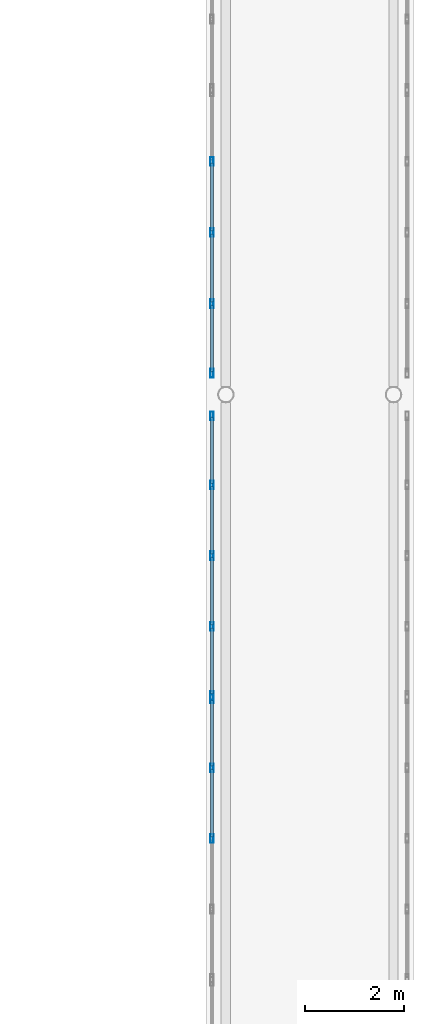
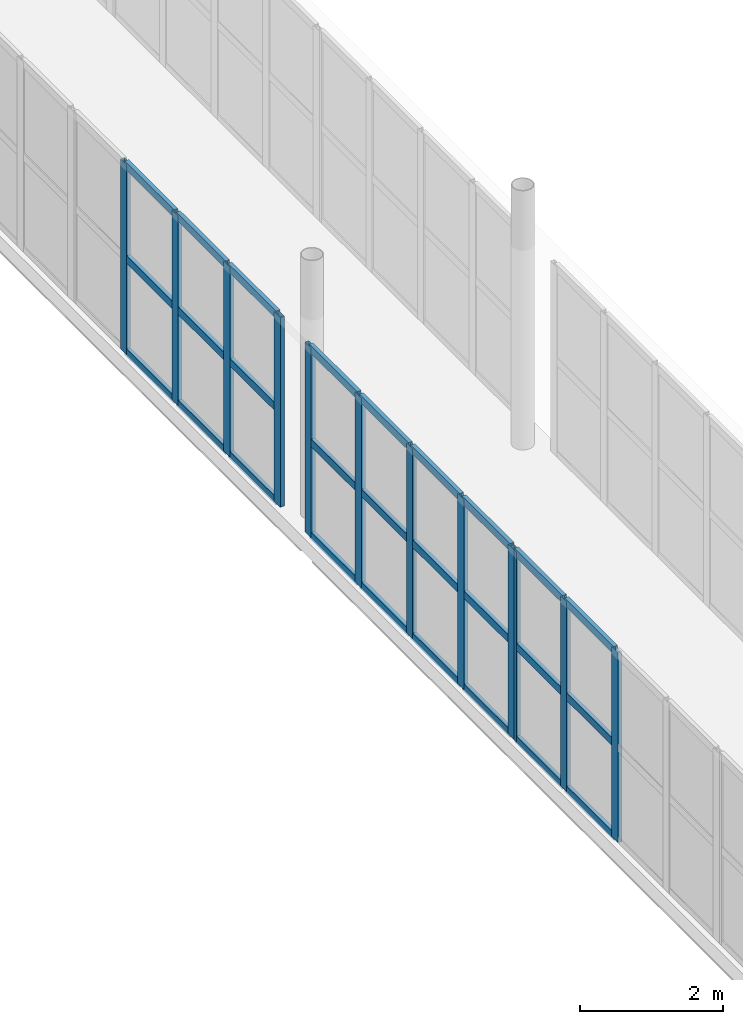
# One storey, part 37 of 142: 39 members, 3 elements without a shape of their own.
"""IFC4 building model written with IfcOpenShell, lengths in metres."""

from ifc_helpers import new_model, si_unit, direction, frame, origin, origin_2d, place, context, subcontext, project, spatial, hollow_rectangle, extrude, material, layer, layer_set, material_profile, profile_set, type_object, element, aggregate, save


model = new_model("IFC4")

# Units and contexts
model_context = context("Model", 3, precision=1e-05, world=origin(), true_north=direction((0.0, 1.0)))
body_context = subcontext(model_context, "Body", "Model", "MODEL_VIEW")
ifc_project = project(units=[si_unit("LENGTHUNIT", "METRE"), si_unit("AREAUNIT", "SQUARE_METRE"), si_unit("VOLUMEUNIT", "CUBIC_METRE"), si_unit("PLANEANGLEUNIT", "RADIAN"), si_unit("MASSUNIT", "GRAM", prefix="KILO")], contexts=[model_context])

# Site, building, storey
site_placement = place(None, origin())
site = spatial("IfcSite", under=ifc_project, at=site_placement, CompositionType="ELEMENT")
building_placement = place(site_placement, origin())
building = spatial("IfcBuilding", under=site, at=building_placement, Name="Valcora Specialist Clinic", CompositionType="ELEMENT")
storey_placement = place(building_placement, frame((0.0, 0.0, 5.10009765625)))
storey = spatial("IfcBuildingStorey", under=building, at=storey_placement, Name="L01", CompositionType="ELEMENT", Elevation=5.10009765625)

# Curtain wall, members
ifc_material = material(Name="Anodized Bronze Aluminium 6063-T6", Category="aluminium")
ifc_layer = layer(ifc_material, 0.175048828125)
ifc_layer_set = layer_set([ifc_layer], Name="Anodized Bronze Aluminium 6063-T6")
curtain_wall_type = type_object("IfcCurtainWallType", Name="TY-CW-BRG14", PredefinedType="NOTDEFINED", material=ifc_layer_set)
curtain_wall_1_placement = place(storey_placement, origin())
curtain_wall_1 = element("IfcCurtainWall", 1, at=curtain_wall_1_placement, inside=storey, type_object=curtain_wall_type, Name="Curtain wall CW-L01-235", PredefinedType="NOTDEFINED")
ifc_material_profile_1 = material_profile(ifc_material, hollow_rectangle(XDim=0.06494140625, YDim=0.175048828125, WallThickness=0.00390625, at=origin_2d()), Name="AL-MUL-65X175")
ifc_profile_set_1 = profile_set([ifc_material_profile_1], Name="Anodized Bronze Aluminium 6063-T6")
member_type_1 = type_object("IfcMemberType", Name="TY-CWM-65X175", PredefinedType="MULLION", material=ifc_profile_set_1)
member_1_placement = place(storey_placement, frame((61.320068359375, 47.0, 0.0), z_axis=(0.0, 0.0, 1.0), x_axis=(-1.0, 0.0, 0.0)))
member_1 = element("IfcMember", 2, at=member_1_placement, type_object=member_type_1, Name="CW-BRG-14 mullion 3", PredefinedType="MULLION", context=body_context, shape_type="SweptSolid", body=[
    extrude(hollow_rectangle(XDim=0.06494140625, YDim=0.175048828125, WallThickness=0.00390625, at=origin_2d()), origin(), (0.0, 0.0, 1.0), 3.239990234375),
])
member_2_placement = place(storey_placement, frame((61.320068359375, 48.433349609375, 0.0), z_axis=(0.0, 0.0, 1.0), x_axis=(-1.0, 0.0, 0.0)))
member_2 = element("IfcMember", 3, at=member_2_placement, type_object=member_type_1, Name="CW-BRG-14 mullion 4", PredefinedType="MULLION", context=body_context, shape_type="SweptSolid", body=[
    extrude(hollow_rectangle(XDim=0.06494140625, YDim=0.175048828125, WallThickness=0.00390625, at=origin_2d()), origin(), (0.0, 0.0, 1.0), 3.239990234375),
])
member_3_placement = place(storey_placement, frame((61.320068359375, 49.834228515625, 0.0), z_axis=(0.0, 0.0, 1.0), x_axis=(-1.0, 0.0, 0.0)))
member_3 = element("IfcMember", 4, at=member_3_placement, type_object=member_type_1, Name="CW-BRG-14 mullion 5", PredefinedType="MULLION", context=body_context, shape_type="SweptSolid", body=[
    extrude(hollow_rectangle(XDim=0.06494140625, YDim=0.175048828125, WallThickness=0.00390625, at=origin_2d()), origin(), (0.0, 0.0, 1.0), 3.239990234375),
])

curtain_wall_2_placement = place(storey_placement, origin())
curtain_wall_2 = element("IfcCurtainWall", 5, at=curtain_wall_2_placement, inside=storey, type_object=curtain_wall_type, Name="Curtain wall CW-L01-236", PredefinedType="NOTDEFINED")
member_4_placement = place(storey_placement, frame((61.320068359375, 49.899169921875, 0.0), z_axis=(0.0, 0.0, 1.0), x_axis=(-1.0, 0.0, 0.0)))
member_4 = element("IfcMember", 6, at=member_4_placement, type_object=member_type_1, Name="CW-BRG-14 mullion 1", PredefinedType="MULLION", context=body_context, shape_type="SweptSolid", body=[
    extrude(hollow_rectangle(XDim=0.06494140625, YDim=0.175048828125, WallThickness=0.00390625, at=origin_2d()), origin(), (0.0, 0.0, 1.0), 3.239990234375),
])
member_5_placement = place(storey_placement, frame((61.320068359375, 51.300048828125, 0.0), z_axis=(0.0, 0.0, 1.0), x_axis=(-1.0, 0.0, 0.0)))
member_5 = element("IfcMember", 7, at=member_5_placement, type_object=member_type_1, Name="CW-BRG-14 mullion 2", PredefinedType="MULLION", context=body_context, shape_type="SweptSolid", body=[
    extrude(hollow_rectangle(XDim=0.06494140625, YDim=0.175048828125, WallThickness=0.00390625, at=origin_2d()), origin(), (0.0, 0.0, 1.0), 3.239990234375),
])
member_6_placement = place(storey_placement, frame((61.320068359375, 52.7333984375, 0.0), z_axis=(0.0, 0.0, 1.0), x_axis=(-1.0, 0.0, 0.0)))
member_6 = element("IfcMember", 8, at=member_6_placement, type_object=member_type_1, Name="CW-BRG-14 mullion 3", PredefinedType="MULLION", context=body_context, shape_type="SweptSolid", body=[
    extrude(hollow_rectangle(XDim=0.06494140625, YDim=0.175048828125, WallThickness=0.00390625, at=origin_2d()), origin(), (0.0, 0.0, 1.0), 3.239990234375),
])
member_7_placement = place(storey_placement, frame((61.320068359375, 54.166748046875, 0.0), z_axis=(0.0, 0.0, 1.0), x_axis=(-1.0, 0.0, 0.0)))
member_7 = element("IfcMember", 9, at=member_7_placement, type_object=member_type_1, Name="CW-BRG-14 mullion 4", PredefinedType="MULLION", context=body_context, shape_type="SweptSolid", body=[
    extrude(hollow_rectangle(XDim=0.06494140625, YDim=0.175048828125, WallThickness=0.00390625, at=origin_2d()), origin(), (0.0, 0.0, 1.0), 3.239990234375),
])
member_8_placement = place(storey_placement, frame((61.320068359375, 55.5673828125, 0.0), z_axis=(0.0, 0.0, 1.0), x_axis=(-1.0, 0.0, 0.0)))
member_8 = element("IfcMember", 10, at=member_8_placement, type_object=member_type_1, Name="CW-BRG-14 mullion 5", PredefinedType="MULLION", context=body_context, shape_type="SweptSolid", body=[
    extrude(hollow_rectangle(XDim=0.06494140625, YDim=0.175048828125, WallThickness=0.00390625, at=origin_2d()), origin(), (0.0, 0.0, 1.0), 3.239990234375),
])

curtain_wall_3_placement = place(storey_placement, origin())
curtain_wall_3 = element("IfcCurtainWall", 11, at=curtain_wall_3_placement, inside=storey, type_object=curtain_wall_type, Name="Curtain wall CW-L01-237", PredefinedType="NOTDEFINED")
member_9_placement = place(storey_placement, frame((61.320068359375, 56.4326171875, 0.0), z_axis=(0.0, 0.0, 1.0), x_axis=(-1.0, 0.0, 0.0)))
member_9 = element("IfcMember", 12, at=member_9_placement, type_object=member_type_1, Name="CW-BRG-14 mullion 1", PredefinedType="MULLION", context=body_context, shape_type="SweptSolid", body=[
    extrude(hollow_rectangle(XDim=0.06494140625, YDim=0.175048828125, WallThickness=0.00390625, at=origin_2d()), origin(), (0.0, 0.0, 1.0), 3.239990234375),
])
member_10_placement = place(storey_placement, frame((61.320068359375, 57.841796875, 0.0), z_axis=(0.0, 0.0, 1.0), x_axis=(-1.0, 0.0, 0.0)))
member_10 = element("IfcMember", 13, at=member_10_placement, type_object=member_type_1, Name="CW-BRG-14 mullion 2", PredefinedType="MULLION", context=body_context, shape_type="SweptSolid", body=[
    extrude(hollow_rectangle(XDim=0.06494140625, YDim=0.175048828125, WallThickness=0.00390625, at=origin_2d()), origin(), (0.0, 0.0, 1.0), 3.239990234375),
])
member_11_placement = place(storey_placement, frame((61.320068359375, 59.283447265625, 0.0), z_axis=(0.0, 0.0, 1.0), x_axis=(-1.0, 0.0, 0.0)))
member_11 = element("IfcMember", 14, at=member_11_placement, type_object=member_type_1, Name="CW-BRG-14 mullion 3", PredefinedType="MULLION", context=body_context, shape_type="SweptSolid", body=[
    extrude(hollow_rectangle(XDim=0.06494140625, YDim=0.175048828125, WallThickness=0.00390625, at=origin_2d()), origin(), (0.0, 0.0, 1.0), 3.239990234375),
])
member_12_placement = place(storey_placement, frame((61.320068359375, 60.72509765625, 0.0), z_axis=(0.0, 0.0, 1.0), x_axis=(-1.0, 0.0, 0.0)))
member_12 = element("IfcMember", 15, at=member_12_placement, type_object=member_type_1, Name="CW-BRG-14 mullion 4", PredefinedType="MULLION", context=body_context, shape_type="SweptSolid", body=[
    extrude(hollow_rectangle(XDim=0.06494140625, YDim=0.175048828125, WallThickness=0.00390625, at=origin_2d()), origin(), (0.0, 0.0, 1.0), 3.239990234375),
])

# Member
ifc_material_profile_2 = material_profile(ifc_material, hollow_rectangle(XDim=0.06494140625, YDim=0.1298828125, WallThickness=0.00390625, at=origin_2d()), Name="AL-TRN-65X130")
ifc_profile_set_2 = profile_set([ifc_material_profile_2], Name="Anodized Bronze Aluminium 6063-T6")
member_type_2 = type_object("IfcMemberType", Name="TY-CWT-65X130", PredefinedType="USERDEFINED", material=ifc_profile_set_2)
member_13_placement = place(storey_placement, frame((61.320068359375, 47.032470703125, 0.032470703125), z_axis=(0.0, 1.0, 0.0), x_axis=(-1.0, 0.0, 0.0)))
member_13 = element("IfcMember", 16, at=member_13_placement, type_object=member_type_2, Name="CW-BRG-14 transom 3.1", ObjectType="TRANSOM", PredefinedType="USERDEFINED", context=body_context, shape_type="SweptSolid", body=[
    extrude(hollow_rectangle(XDim=0.06494140625, YDim=0.1298828125, WallThickness=0.00390625, at=origin_2d()), origin(), (0.0, 0.0, 1.0), 1.368408203125),
])

member_14_placement = place(storey_placement, frame((61.320068359375, 47.032470703125, 1.619873046875), z_axis=(0.0, 1.0, 0.0), x_axis=(-1.0, 0.0, 0.0)))
member_14 = element("IfcMember", 17, at=member_14_placement, type_object=member_type_2, Name="CW-BRG-14 transom 3.2", ObjectType="TRANSOM", PredefinedType="USERDEFINED", context=body_context, shape_type="SweptSolid", body=[
    extrude(hollow_rectangle(XDim=0.06494140625, YDim=0.1298828125, WallThickness=0.00390625, at=origin_2d()), origin(), (0.0, 0.0, 1.0), 1.368408203125),
])

member_15_placement = place(storey_placement, frame((61.320068359375, 47.032470703125, 3.20751953125), z_axis=(0.0, 1.0, 0.0), x_axis=(-1.0, 0.0, 0.0)))
member_15 = element("IfcMember", 18, at=member_15_placement, type_object=member_type_2, Name="CW-BRG-14 transom 3.3", ObjectType="TRANSOM", PredefinedType="USERDEFINED", context=body_context, shape_type="SweptSolid", body=[
    extrude(hollow_rectangle(XDim=0.06494140625, YDim=0.1298828125, WallThickness=0.00390625, at=origin_2d()), origin(), (0.0, 0.0, 1.0), 1.368408203125),
])

member_16_placement = place(storey_placement, frame((61.320068359375, 48.4658203125, 0.032470703125), z_axis=(0.0, 1.0, 0.0), x_axis=(-1.0, 0.0, 0.0)))
member_16 = element("IfcMember", 19, at=member_16_placement, type_object=member_type_2, Name="CW-BRG-14 transom 4.1", ObjectType="TRANSOM", PredefinedType="USERDEFINED", context=body_context, shape_type="SweptSolid", body=[
    extrude(hollow_rectangle(XDim=0.06494140625, YDim=0.1298828125, WallThickness=0.00390625, at=origin_2d()), origin(), (0.0, 0.0, 1.0), 1.3359375),
])

member_17_placement = place(storey_placement, frame((61.320068359375, 48.4658203125, 1.619873046875), z_axis=(0.0, 1.0, 0.0), x_axis=(-1.0, 0.0, 0.0)))
member_17 = element("IfcMember", 20, at=member_17_placement, type_object=member_type_2, Name="CW-BRG-14 transom 4.2", ObjectType="TRANSOM", PredefinedType="USERDEFINED", context=body_context, shape_type="SweptSolid", body=[
    extrude(hollow_rectangle(XDim=0.06494140625, YDim=0.1298828125, WallThickness=0.00390625, at=origin_2d()), origin(), (0.0, 0.0, 1.0), 1.3359375),
])

member_18_placement = place(storey_placement, frame((61.320068359375, 48.4658203125, 3.20751953125), z_axis=(0.0, 1.0, 0.0), x_axis=(-1.0, 0.0, 0.0)))
member_18 = element("IfcMember", 21, at=member_18_placement, type_object=member_type_2, Name="CW-BRG-14 transom 4.3", ObjectType="TRANSOM", PredefinedType="USERDEFINED", context=body_context, shape_type="SweptSolid", body=[
    extrude(hollow_rectangle(XDim=0.06494140625, YDim=0.1298828125, WallThickness=0.00390625, at=origin_2d()), origin(), (0.0, 0.0, 1.0), 1.3359375),
])

aggregate(curtain_wall_1, [member_1, member_2, member_3, member_13, member_14, member_15, member_16, member_17, member_18])

member_19_placement = place(storey_placement, frame((61.320068359375, 49.931640625, 0.032470703125), z_axis=(0.0, 1.0, 0.0), x_axis=(-1.0, 0.0, 0.0)))
member_19 = element("IfcMember", 22, at=member_19_placement, type_object=member_type_2, Name="CW-BRG-14 transom 1.1", ObjectType="TRANSOM", PredefinedType="USERDEFINED", context=body_context, shape_type="SweptSolid", body=[
    extrude(hollow_rectangle(XDim=0.06494140625, YDim=0.1298828125, WallThickness=0.00390625, at=origin_2d()), origin(), (0.0, 0.0, 1.0), 1.3359375),
])

member_20_placement = place(storey_placement, frame((61.320068359375, 49.931640625, 1.619873046875), z_axis=(0.0, 1.0, 0.0), x_axis=(-1.0, 0.0, 0.0)))
member_20 = element("IfcMember", 23, at=member_20_placement, type_object=member_type_2, Name="CW-BRG-14 transom 1.2", ObjectType="TRANSOM", PredefinedType="USERDEFINED", context=body_context, shape_type="SweptSolid", body=[
    extrude(hollow_rectangle(XDim=0.06494140625, YDim=0.1298828125, WallThickness=0.00390625, at=origin_2d()), origin(), (0.0, 0.0, 1.0), 1.3359375),
])

member_21_placement = place(storey_placement, frame((61.320068359375, 49.931640625, 3.20751953125), z_axis=(0.0, 1.0, 0.0), x_axis=(-1.0, 0.0, 0.0)))
member_21 = element("IfcMember", 24, at=member_21_placement, type_object=member_type_2, Name="CW-BRG-14 transom 1.3", ObjectType="TRANSOM", PredefinedType="USERDEFINED", context=body_context, shape_type="SweptSolid", body=[
    extrude(hollow_rectangle(XDim=0.06494140625, YDim=0.1298828125, WallThickness=0.00390625, at=origin_2d()), origin(), (0.0, 0.0, 1.0), 1.3359375),
])

member_22_placement = place(storey_placement, frame((61.320068359375, 51.33251953125, 0.032470703125), z_axis=(0.0, 1.0, 0.0), x_axis=(-1.0, 0.0, 0.0)))
member_22 = element("IfcMember", 25, at=member_22_placement, type_object=member_type_2, Name="CW-BRG-14 transom 2.1", ObjectType="TRANSOM", PredefinedType="USERDEFINED", context=body_context, shape_type="SweptSolid", body=[
    extrude(hollow_rectangle(XDim=0.06494140625, YDim=0.1298828125, WallThickness=0.00390625, at=origin_2d()), origin(), (0.0, 0.0, 1.0), 1.368408203125),
])

member_23_placement = place(storey_placement, frame((61.320068359375, 51.33251953125, 1.619873046875), z_axis=(0.0, 1.0, 0.0), x_axis=(-1.0, 0.0, 0.0)))
member_23 = element("IfcMember", 26, at=member_23_placement, type_object=member_type_2, Name="CW-BRG-14 transom 2.2", ObjectType="TRANSOM", PredefinedType="USERDEFINED", context=body_context, shape_type="SweptSolid", body=[
    extrude(hollow_rectangle(XDim=0.06494140625, YDim=0.1298828125, WallThickness=0.00390625, at=origin_2d()), origin(), (0.0, 0.0, 1.0), 1.368408203125),
])

member_24_placement = place(storey_placement, frame((61.320068359375, 51.33251953125, 3.20751953125), z_axis=(0.0, 1.0, 0.0), x_axis=(-1.0, 0.0, 0.0)))
member_24 = element("IfcMember", 27, at=member_24_placement, type_object=member_type_2, Name="CW-BRG-14 transom 2.3", ObjectType="TRANSOM", PredefinedType="USERDEFINED", context=body_context, shape_type="SweptSolid", body=[
    extrude(hollow_rectangle(XDim=0.06494140625, YDim=0.1298828125, WallThickness=0.00390625, at=origin_2d()), origin(), (0.0, 0.0, 1.0), 1.368408203125),
])

member_25_placement = place(storey_placement, frame((61.320068359375, 52.765869140625, 0.032470703125), z_axis=(0.0, 1.0, 0.0), x_axis=(-1.0, 0.0, 0.0)))
member_25 = element("IfcMember", 28, at=member_25_placement, type_object=member_type_2, Name="CW-BRG-14 transom 3.1", ObjectType="TRANSOM", PredefinedType="USERDEFINED", context=body_context, shape_type="SweptSolid", body=[
    extrude(hollow_rectangle(XDim=0.06494140625, YDim=0.1298828125, WallThickness=0.00390625, at=origin_2d()), origin(), (0.0, 0.0, 1.0), 1.368408203125),
])

member_26_placement = place(storey_placement, frame((61.320068359375, 52.765869140625, 1.619873046875), z_axis=(0.0, 1.0, 0.0), x_axis=(-1.0, 0.0, 0.0)))
member_26 = element("IfcMember", 29, at=member_26_placement, type_object=member_type_2, Name="CW-BRG-14 transom 3.2", ObjectType="TRANSOM", PredefinedType="USERDEFINED", context=body_context, shape_type="SweptSolid", body=[
    extrude(hollow_rectangle(XDim=0.06494140625, YDim=0.1298828125, WallThickness=0.00390625, at=origin_2d()), origin(), (0.0, 0.0, 1.0), 1.368408203125),
])

member_27_placement = place(storey_placement, frame((61.320068359375, 52.765869140625, 3.20751953125), z_axis=(0.0, 1.0, 0.0), x_axis=(-1.0, 0.0, 0.0)))
member_27 = element("IfcMember", 30, at=member_27_placement, type_object=member_type_2, Name="CW-BRG-14 transom 3.3", ObjectType="TRANSOM", PredefinedType="USERDEFINED", context=body_context, shape_type="SweptSolid", body=[
    extrude(hollow_rectangle(XDim=0.06494140625, YDim=0.1298828125, WallThickness=0.00390625, at=origin_2d()), origin(), (0.0, 0.0, 1.0), 1.368408203125),
])

member_28_placement = place(storey_placement, frame((61.320068359375, 54.19921875, 0.032470703125), z_axis=(0.0, 1.0, 0.0), x_axis=(-1.0, 0.0, 0.0)))
member_28 = element("IfcMember", 31, at=member_28_placement, type_object=member_type_2, Name="CW-BRG-14 transom 4.1", ObjectType="TRANSOM", PredefinedType="USERDEFINED", context=body_context, shape_type="SweptSolid", body=[
    extrude(hollow_rectangle(XDim=0.06494140625, YDim=0.1298828125, WallThickness=0.00390625, at=origin_2d()), origin(), (0.0, 0.0, 1.0), 1.335693359375),
])

member_29_placement = place(storey_placement, frame((61.320068359375, 54.19921875, 1.619873046875), z_axis=(0.0, 1.0, 0.0), x_axis=(-1.0, 0.0, 0.0)))
member_29 = element("IfcMember", 32, at=member_29_placement, type_object=member_type_2, Name="CW-BRG-14 transom 4.2", ObjectType="TRANSOM", PredefinedType="USERDEFINED", context=body_context, shape_type="SweptSolid", body=[
    extrude(hollow_rectangle(XDim=0.06494140625, YDim=0.1298828125, WallThickness=0.00390625, at=origin_2d()), origin(), (0.0, 0.0, 1.0), 1.335693359375),
])

member_30_placement = place(storey_placement, frame((61.320068359375, 54.19921875, 3.20751953125), z_axis=(0.0, 1.0, 0.0), x_axis=(-1.0, 0.0, 0.0)))
member_30 = element("IfcMember", 33, at=member_30_placement, type_object=member_type_2, Name="CW-BRG-14 transom 4.3", ObjectType="TRANSOM", PredefinedType="USERDEFINED", context=body_context, shape_type="SweptSolid", body=[
    extrude(hollow_rectangle(XDim=0.06494140625, YDim=0.1298828125, WallThickness=0.00390625, at=origin_2d()), origin(), (0.0, 0.0, 1.0), 1.335693359375),
])

aggregate(curtain_wall_2, [member_4, member_5, member_6, member_7, member_8, member_19, member_20, member_21, member_22, member_23, member_24, member_25, member_26, member_27, member_28, member_29, member_30])

member_31_placement = place(storey_placement, frame((61.320068359375, 56.465087890625, 0.032470703125), z_axis=(0.0, 1.0, 0.0), x_axis=(-1.0, 0.0, 0.0)))
member_31 = element("IfcMember", 34, at=member_31_placement, type_object=member_type_2, Name="CW-BRG-14 transom 1.1", ObjectType="TRANSOM", PredefinedType="USERDEFINED", context=body_context, shape_type="SweptSolid", body=[
    extrude(hollow_rectangle(XDim=0.06494140625, YDim=0.1298828125, WallThickness=0.00390625, at=origin_2d()), origin(), (0.0, 0.0, 1.0), 1.343994140625),
])

member_32_placement = place(storey_placement, frame((61.320068359375, 56.465087890625, 1.619873046875), z_axis=(0.0, 1.0, 0.0), x_axis=(-1.0, 0.0, 0.0)))
member_32 = element("IfcMember", 35, at=member_32_placement, type_object=member_type_2, Name="CW-BRG-14 transom 1.2", ObjectType="TRANSOM", PredefinedType="USERDEFINED", context=body_context, shape_type="SweptSolid", body=[
    extrude(hollow_rectangle(XDim=0.06494140625, YDim=0.1298828125, WallThickness=0.00390625, at=origin_2d()), origin(), (0.0, 0.0, 1.0), 1.343994140625),
])

member_33_placement = place(storey_placement, frame((61.320068359375, 56.465087890625, 3.20751953125), z_axis=(0.0, 1.0, 0.0), x_axis=(-1.0, 0.0, 0.0)))
member_33 = element("IfcMember", 36, at=member_33_placement, type_object=member_type_2, Name="CW-BRG-14 transom 1.3", ObjectType="TRANSOM", PredefinedType="USERDEFINED", context=body_context, shape_type="SweptSolid", body=[
    extrude(hollow_rectangle(XDim=0.06494140625, YDim=0.1298828125, WallThickness=0.00390625, at=origin_2d()), origin(), (0.0, 0.0, 1.0), 1.343994140625),
])

member_34_placement = place(storey_placement, frame((61.320068359375, 57.874267578125, 0.032470703125), z_axis=(0.0, 1.0, 0.0), x_axis=(-1.0, 0.0, 0.0)))
member_34 = element("IfcMember", 37, at=member_34_placement, type_object=member_type_2, Name="CW-BRG-14 transom 2.1", ObjectType="TRANSOM", PredefinedType="USERDEFINED", context=body_context, shape_type="SweptSolid", body=[
    extrude(hollow_rectangle(XDim=0.06494140625, YDim=0.1298828125, WallThickness=0.00390625, at=origin_2d()), origin(), (0.0, 0.0, 1.0), 1.37646484375),
])

member_35_placement = place(storey_placement, frame((61.320068359375, 57.874267578125, 1.619873046875), z_axis=(0.0, 1.0, 0.0), x_axis=(-1.0, 0.0, 0.0)))
member_35 = element("IfcMember", 38, at=member_35_placement, type_object=member_type_2, Name="CW-BRG-14 transom 2.2", ObjectType="TRANSOM", PredefinedType="USERDEFINED", context=body_context, shape_type="SweptSolid", body=[
    extrude(hollow_rectangle(XDim=0.06494140625, YDim=0.1298828125, WallThickness=0.00390625, at=origin_2d()), origin(), (0.0, 0.0, 1.0), 1.37646484375),
])

member_36_placement = place(storey_placement, frame((61.320068359375, 57.874267578125, 3.20751953125), z_axis=(0.0, 1.0, 0.0), x_axis=(-1.0, 0.0, 0.0)))
member_36 = element("IfcMember", 39, at=member_36_placement, type_object=member_type_2, Name="CW-BRG-14 transom 2.3", ObjectType="TRANSOM", PredefinedType="USERDEFINED", context=body_context, shape_type="SweptSolid", body=[
    extrude(hollow_rectangle(XDim=0.06494140625, YDim=0.1298828125, WallThickness=0.00390625, at=origin_2d()), origin(), (0.0, 0.0, 1.0), 1.37646484375),
])

member_37_placement = place(storey_placement, frame((61.320068359375, 59.31591796875, 0.032470703125), z_axis=(0.0, 1.0, 0.0), x_axis=(-1.0, 0.0, 0.0)))
member_37 = element("IfcMember", 40, at=member_37_placement, type_object=member_type_2, Name="CW-BRG-14 transom 3.1", ObjectType="TRANSOM", PredefinedType="USERDEFINED", context=body_context, shape_type="SweptSolid", body=[
    extrude(hollow_rectangle(XDim=0.06494140625, YDim=0.1298828125, WallThickness=0.00390625, at=origin_2d()), origin(), (0.0, 0.0, 1.0), 1.376708984375),
])

member_38_placement = place(storey_placement, frame((61.320068359375, 59.31591796875, 1.619873046875), z_axis=(0.0, 1.0, 0.0), x_axis=(-1.0, 0.0, 0.0)))
member_38 = element("IfcMember", 41, at=member_38_placement, type_object=member_type_2, Name="CW-BRG-14 transom 3.2", ObjectType="TRANSOM", PredefinedType="USERDEFINED", context=body_context, shape_type="SweptSolid", body=[
    extrude(hollow_rectangle(XDim=0.06494140625, YDim=0.1298828125, WallThickness=0.00390625, at=origin_2d()), origin(), (0.0, 0.0, 1.0), 1.376708984375),
])

member_39_placement = place(storey_placement, frame((61.320068359375, 59.31591796875, 3.20751953125), z_axis=(0.0, 1.0, 0.0), x_axis=(-1.0, 0.0, 0.0)))
member_39 = element("IfcMember", 42, at=member_39_placement, type_object=member_type_2, Name="CW-BRG-14 transom 3.3", ObjectType="TRANSOM", PredefinedType="USERDEFINED", context=body_context, shape_type="SweptSolid", body=[
    extrude(hollow_rectangle(XDim=0.06494140625, YDim=0.1298828125, WallThickness=0.00390625, at=origin_2d()), origin(), (0.0, 0.0, 1.0), 1.376708984375),
])

aggregate(curtain_wall_3, [member_9, member_10, member_11, member_12, member_31, member_32, member_33, member_34, member_35, member_36, member_37, member_38, member_39])

save(model, "model.ifc")
